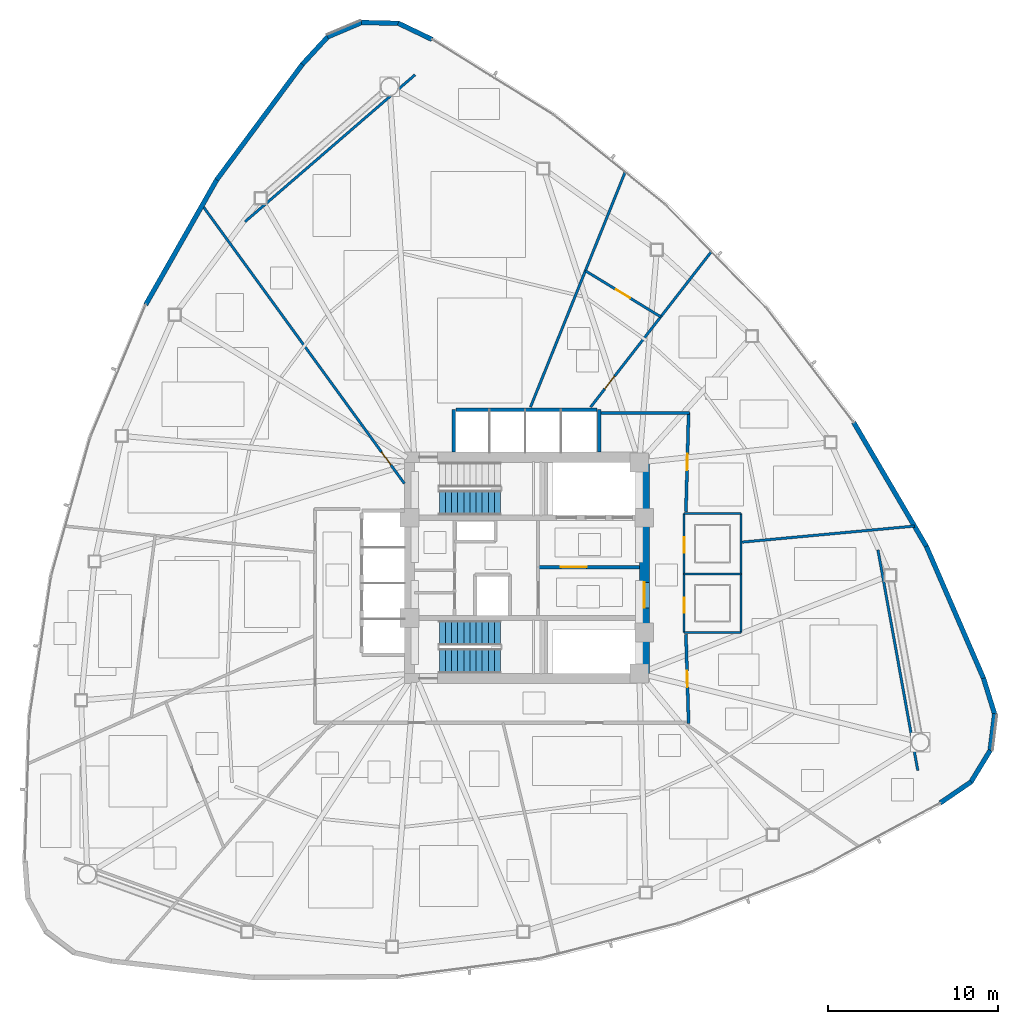
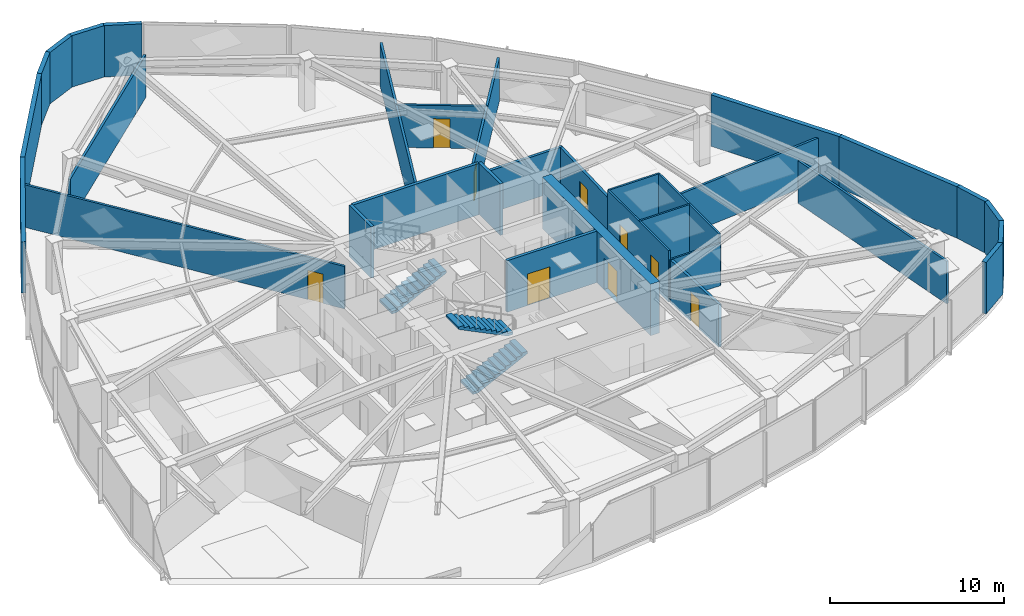
# One storey, part 12 of 17: 32 walls, 9 doors, 3 stair flights, 9 openings, 2 elements without a shape of their own.
"""IFC4 building model written with IfcOpenShell, lengths in metres."""

from ifc_helpers import new_model, si_unit, direction, frame, frame_2d, origin, place, context, subcontext, project, spatial, polyline, rectangle, outline, extrude, material, layer, layer_set, type_object, element, fill, aggregate, save


model = new_model("IFC4")

# Units and contexts
model_context = context("Model", 3, precision=1e-05, world=origin(), true_north=direction((0.0, 1.0)))
body_context = subcontext(model_context, "Body", "Model", "MODEL_VIEW")
ifc_project = project(units=[si_unit("LENGTHUNIT", "METRE"), si_unit("AREAUNIT", "SQUARE_METRE"), si_unit("VOLUMEUNIT", "CUBIC_METRE"), si_unit("PLANEANGLEUNIT", "RADIAN"), si_unit("MASSUNIT", "GRAM", prefix="KILO")], contexts=[model_context])

# Site, building, storey
site_placement = place(None, origin())
site = spatial("IfcSite", under=ifc_project, at=site_placement, CompositionType="ELEMENT")
building_placement = place(site_placement, origin())
building = spatial("IfcBuilding", under=site, at=building_placement, Name="Tavelor Broadcast Tower", CompositionType="ELEMENT")
storey_placement = place(building_placement, frame((0.0, 0.0, 70.5)))
storey = spatial("IfcBuildingStorey", under=building, at=storey_placement, Name="L16", CompositionType="ELEMENT", Elevation=70.5)

# Wall, opening, door
ifc_material_1 = material(Name="Concrete C60/75", Category="concrete")
ifc_layer_1 = layer(ifc_material_1, 0.60009765625)
ifc_layer_set_1 = layer_set([ifc_layer_1], Name="Concrete C60/75")
wall_type_1 = type_object("IfcWallType", Name="Core Shear Wall 600 mm", PredefinedType="SHEAR", material=ifc_layer_set_1)
wall_1_placement = place(storey_placement, frame((56.89990234375, 38.800048828125, 0.0), z_axis=(0.0, 0.0, 1.0), x_axis=(0.0, 1.0, 0.0)))
wall_1 = element("IfcWall", 1, at=wall_1_placement, inside=storey, type_object=wall_type_1, Name="L16 Central Core Shear Wall E", PredefinedType="SHEAR", context=body_context, shape_type="SweptSolid", body=[
    extrude(rectangle(XDim=12.39990234375, YDim=0.60009765625, at=frame_2d((6.199951171875, 0.0))), origin(), (0.0, 0.0, 1.0), 3.60009765625),
])
opening_1_placement = place(wall_1_placement, frame((3.85009765625, 0.0, 0.0)))
opening_1 = element("IfcOpeningElement", 2, at=opening_1_placement, cuts=wall_1, Name="Opening DR14", PredefinedType="OPENING", context=body_context, shape_type="SweptSolid", body=[
    extrude(rectangle(XDim=1.5, YDim=2.199951171875, at=frame_2d((0.75, 1.10009765625))), frame((0.0, 0.31005859375, 0.0), z_axis=(0.0, -1.0, 0.0), x_axis=(1.0, 0.0, 0.0)), (0.0, 0.0, 1.0), 0.6201171875),
])
ifc_material_2 = material(Name="Steel S355", Category="steel")
door_type_1 = type_object("IfcDoorType", Name="Firefighting Lobby Double Fire Door 1500x2200", OperationType="NOTDEFINED", PredefinedType="DOOR", material=ifc_material_2)
door_1_placement = place(opening_1_placement, origin())
door_1 = element("IfcDoor", 3, at=door_1_placement, inside=storey, type_object=door_type_1, Name="L16 Central Core Lobby Fire Door", OperationType="SINGLE_SWING_RIGHT", OverallHeight=2.199951171875, OverallWidth=1.5, PredefinedType="DOOR", context=body_context, shape_type="SweptSolid", body=[
    extrude(rectangle(XDim=1.5, YDim=2.199951171875, at=frame_2d((0.75, 1.10009765625))), frame((0.0, 0.02490234375, 0.0), z_axis=(0.0, -1.0, 0.0), x_axis=(1.0, 0.0, 0.0)), (0.0, 0.0, 1.0), 0.050048828125),
])
fill(opening_1, door_1)

# Wall
ifc_material_3 = material(Name="Calcium Silicate Fire Board 180 mm", Category="gypsum")
ifc_layer_2 = layer(ifc_material_3, 0.179931640625)
ifc_layer_set_2 = layer_set([ifc_layer_2], Name="Calcium Silicate Fire Board 180 mm")
wall_type_2 = type_object("IfcWallType", Name="Fire-Rated Corridor Partition Wall 180 mm", PredefinedType="PARTITIONING", material=ifc_layer_set_2)
wall_2_placement = place(storey_placement, frame((54.300048828125, 54.10009765625, 0.0), z_axis=(0.0, 0.0, 1.0), x_axis=(1.0, 0.0, 0.0)))
element("IfcWall", 4, at=wall_2_placement, inside=storey, type_object=wall_type_2, Name="L16 Corridor Compartment Wall 01", PredefinedType="PARTITIONING", context=body_context, shape_type="SweptSolid", body=[
    extrude(rectangle(XDim=5.25, YDim=0.179931640625, at=frame_2d((2.625, 0.0))), origin(), (0.0, 0.0, 1.0), 2.97509765625),
])

# Wall, opening, door
wall_3_placement = place(storey_placement, frame((59.50146484375, 54.14990234375, 0.0), z_axis=(0.0, 0.0, 1.0), x_axis=(-0.027367567602, -0.999625437973, 0.0)))
wall_3 = element("IfcWall", 5, at=wall_3_placement, inside=storey, type_object=wall_type_2, Name="L16 Corridor Compartment Wall 02", PredefinedType="PARTITIONING", context=body_context, shape_type="SweptSolid", body=[
    extrude(rectangle(XDim=5.85205078125, YDim=0.179931640625, at=frame_2d((2.926025390625, 0.0))), origin(), (0.0, 0.0, 1.0), 2.97509765625),
])
opening_2_placement = place(wall_3_placement, frame((2.451171875, 0.0, 0.0)))
opening_2 = element("IfcOpeningElement", 6, at=opening_2_placement, cuts=wall_3, Name="Opening DR18", PredefinedType="OPENING", context=body_context, shape_type="SweptSolid", body=[
    extrude(rectangle(XDim=0.949951171875, YDim=2.050048828125, at=frame_2d((0.47509765625, 1.02490234375))), frame((0.0, 0.10009765625, 0.0), z_axis=(0.0, -1.0, 0.0), x_axis=(1.0, 0.0, 0.0)), (0.0, 0.0, 1.0), 0.199951171875),
])
ifc_material_4 = material(Name="Timber Solid Core Hardwood", Category="wood")
door_type_2 = type_object("IfcDoorType", Name="Corridor Rated Compartment Door 950x2050", OperationType="NOTDEFINED", PredefinedType="DOOR", material=ifc_material_4)
door_2_placement = place(opening_2_placement, origin())
door_2 = element("IfcDoor", 7, at=door_2_placement, inside=storey, type_object=door_type_2, Name="L16 Presenter Quiet Snug Door R6", OperationType="SINGLE_SWING_LEFT", OverallHeight=2.050048828125, OverallWidth=0.949951171875, PredefinedType="DOOR", context=body_context, shape_type="SweptSolid", body=[
    extrude(rectangle(XDim=0.949951171875, YDim=2.050048828125, at=frame_2d((0.47509765625, 1.02490234375))), frame((0.0, 0.02490234375, 0.0), z_axis=(0.0, -1.0, 0.0), x_axis=(1.0, 0.0, 0.0)), (0.0, 0.0, 1.0), 0.050048828125),
])
fill(opening_2, door_2)

wall_4_placement = place(storey_placement, frame((59.341552734375, 41.10009765625, 0.0), z_axis=(0.0, 0.0, 1.0), x_axis=(0.030445329425, -0.999536433511, 0.0)))
wall_4 = element("IfcWall", 8, at=wall_4_placement, inside=storey, type_object=wall_type_2, Name="L16 Corridor Compartment Wall 03", PredefinedType="PARTITIONING", context=body_context, shape_type="SweptSolid", body=[
    extrude(rectangle(XDim=5.25244140625, YDim=0.179931640625, at=frame_2d((2.626220703125, 0.0))), origin(), (0.0, 0.0, 1.0), 2.97509765625),
])
opening_3_placement = place(wall_4_placement, frame((2.151123046875, 0.0, 0.0)))
opening_3 = element("IfcOpeningElement", 9, at=opening_3_placement, cuts=wall_4, Name="Opening DR18", PredefinedType="OPENING", context=body_context, shape_type="SweptSolid", body=[
    extrude(rectangle(XDim=0.949951171875, YDim=2.050048828125, at=frame_2d((0.47509765625, 1.02490234375))), frame((0.0, 0.10009765625, 0.0), z_axis=(0.0, -1.0, 0.0), x_axis=(1.0, 0.0, 0.0)), (0.0, 0.0, 1.0), 0.199951171875),
])
door_3_placement = place(opening_3_placement, origin())
door_3 = element("IfcDoor", 10, at=door_3_placement, inside=storey, type_object=door_type_2, Name="L16 Broadcast Crew Room Door R7", OperationType="SINGLE_SWING_RIGHT", OverallHeight=2.050048828125, OverallWidth=0.949951171875, PredefinedType="DOOR", context=body_context, shape_type="SweptSolid", body=[
    extrude(rectangle(XDim=0.949951171875, YDim=2.050048828125, at=frame_2d((0.47509765625, 1.02490234375))), frame((0.0, 0.02490234375, 0.0), z_axis=(0.0, -1.0, 0.0), x_axis=(1.0, 0.0, 0.0)), (0.0, 0.0, 1.0), 0.050048828125),
])
fill(opening_3, door_3)

# Walls
ifc_material_5 = material(Name="Precast Concrete C40/50", Category="concrete")
ifc_layer_3 = layer(ifc_material_5, 0.280029296875)
ifc_layer_set_3 = layer_set([ifc_layer_3], Name="Precast Concrete C40/50")
wall_type_3 = type_object("IfcWallType", Name="Insulated Precast Terracotta Facade Wall 280 mm", PredefinedType="STANDARD", material=ifc_layer_set_3)
wall_5_placement = place(storey_placement, frame((44.422607421875, 76.0576171875, 0.0), z_axis=(0.0, 0.0, 1.0), x_axis=(-0.901464314035, 0.432853428451, 0.0)))
element("IfcWall", 11, at=wall_5_placement, inside=storey, type_object=wall_type_3, Name="L16 Rounded Corner Structural Cladding Pier 01", PredefinedType="STANDARD", context=body_context, shape_type="SweptSolid", body=[
    extrude(rectangle(XDim=2.205322265625, YDim=0.280029296875, at=frame_2d((1.1025390625, 0.0))), origin(), (0.0, 0.0, 1.0), 3.60009765625),
])
for number, where, z_axis, x_axis, name in (
    (12, (42.463134765625, 77.005615234375, 0.0), (0.0, 0.0, 1.0), (-0.999724313306, 0.023479722853, 0.0), "L16 Rounded Corner Structural Cladding Pier 02"),
    (13, (40.298583984375, 77.062744140625, 0.0), (0.0, 0.0, 1.0), (-0.920845873007, -0.389926760002, 0.0), "L16 Rounded Corner Structural Cladding Pier 03"),
):
    element("IfcWall", number, at=place(storey_placement, frame(where, z_axis=z_axis, x_axis=x_axis)), inside=storey, type_object=wall_type_3, Name=name, PredefinedType="STANDARD", context=body_context, shape_type="SweptSolid", body=[
        extrude(rectangle(XDim=2.19384765625, YDim=0.280029296875, at=frame_2d((1.096923828125, 0.0))), origin(), (0.0, 0.0, 1.0), 3.60009765625),
    ])
wall_6_placement = place(storey_placement, frame((38.302490234375, 76.22412109375, 0.0), z_axis=(0.0, 0.0, 1.0), x_axis=(-0.678860911078, -0.734266888406, 0.0)))
element("IfcWall", 14, at=wall_6_placement, inside=storey, type_object=wall_type_3, Name="L16 Rounded Corner Structural Cladding Pier 04", PredefinedType="STANDARD", context=body_context, shape_type="SweptSolid", body=[
    extrude(rectangle(XDim=2.21630859375, YDim=0.280029296875, at=frame_2d((1.108154296875, 0.0))), origin(), (0.0, 0.0, 1.0), 3.60009765625),
])
wall_7_placement = place(storey_placement, frame((36.817138671875, 74.61962890625, 0.0), z_axis=(0.0, 0.0, 1.0), x_axis=(-0.595901433763, -0.803057582767, 0.0)))
element("IfcWall", 15, at=wall_7_placement, inside=storey, type_object=wall_type_3, Name="L16 Rounded Corner Structural Cladding Pier 05", PredefinedType="STANDARD", context=body_context, shape_type="SweptSolid", body=[
    extrude(rectangle(XDim=8.4794921875, YDim=0.280029296875, at=frame_2d((4.23974609375, 0.0))), origin(), (0.0, 0.0, 1.0), 3.60009765625),
])
wall_8_placement = place(storey_placement, frame((31.780517578125, 67.8349609375, 0.0), z_axis=(0.0, 0.0, 1.0), x_axis=(-0.494355624137, -0.869259752251, 0.0)))
element("IfcWall", 16, at=wall_8_placement, inside=storey, type_object=wall_type_3, Name="L16 Rounded Corner Structural Cladding Pier 06", PredefinedType="STANDARD", context=body_context, shape_type="SweptSolid", body=[
    extrude(rectangle(XDim=8.4677734375, YDim=0.280029296875, at=frame_2d((4.23388671875, 0.0))), origin(), (0.0, 0.0, 1.0), 3.60009765625),
])
wall_9_placement = place(storey_placement, frame((74.285400390625, 31.18359375, 0.0), z_axis=(0.0, 0.0, 1.0), x_axis=(0.825608543005, 0.564243328465, 0.0)))
element("IfcWall", 17, at=wall_9_placement, inside=storey, type_object=wall_type_3, Name="L16 Rounded Corner Structural Cladding Pier 21", PredefinedType="STANDARD", context=body_context, shape_type="SweptSolid", body=[
    extrude(rectangle(XDim=2.205322265625, YDim=0.280029296875, at=frame_2d((1.1025390625, 0.0))), origin(), (0.0, 0.0, 1.0), 3.60009765625),
])
for number, where, z_axis, x_axis, name in (
    (18, (76.0859375, 32.40673828125, 0.0), (0.0, 0.0, 1.0), (0.520342278266, 0.853957793716, 0.0), "L16 Rounded Corner Structural Cladding Pier 22"),
    (19, (77.2177734375, 34.252685546875, 0.0), (0.0, 0.0, 1.0), (0.122747150482, 0.992437976424, 0.0), "L16 Rounded Corner Structural Cladding Pier 23"),
):
    element("IfcWall", number, at=place(storey_placement, frame(where, z_axis=z_axis, x_axis=x_axis)), inside=storey, type_object=wall_type_3, Name=name, PredefinedType="STANDARD", context=body_context, shape_type="SweptSolid", body=[
        extrude(rectangle(XDim=2.19384765625, YDim=0.280029296875, at=frame_2d((1.096923828125, 0.0))), origin(), (0.0, 0.0, 1.0), 3.60009765625),
    ])
wall_10_placement = place(storey_placement, frame((77.489501953125, 36.400634765625, 0.0), z_axis=(0.0, 0.0, 1.0), x_axis=(-0.296430397767, 0.955054458803, 0.0)))
element("IfcWall", 20, at=wall_10_placement, inside=storey, type_object=wall_type_3, Name="L16 Rounded Corner Structural Cladding Pier 24", PredefinedType="STANDARD", context=body_context, shape_type="SweptSolid", body=[
    extrude(rectangle(XDim=2.21630859375, YDim=0.280029296875, at=frame_2d((1.108154296875, 0.0))), origin(), (0.0, 0.0, 1.0), 3.60009765625),
])
wall_11_placement = place(storey_placement, frame((76.8427734375, 38.4892578125, 0.0), z_axis=(0.0, 0.0, 1.0), x_axis=(-0.397526636261, 0.917590635013, 0.0)))
element("IfcWall", 21, at=wall_11_placement, inside=storey, type_object=wall_type_3, Name="L16 Rounded Corner Structural Cladding Pier 25", PredefinedType="STANDARD", context=body_context, shape_type="SweptSolid", body=[
    extrude(rectangle(XDim=8.4794921875, YDim=0.280029296875, at=frame_2d((4.23974609375, 0.0))), origin(), (0.0, 0.0, 1.0), 3.60009765625),
])
wall_12_placement = place(storey_placement, frame((73.485595703125, 46.243408203125, 0.0), z_axis=(0.0, 0.0, 1.0), x_axis=(-0.505666222218, 0.862729199522, 0.0)))
element("IfcWall", 22, at=wall_12_placement, inside=storey, type_object=wall_type_3, Name="L16 Rounded Corner Structural Cladding Pier 26", PredefinedType="STANDARD", context=body_context, shape_type="SweptSolid", body=[
    extrude(rectangle(XDim=8.467529296875, YDim=0.280029296875, at=frame_2d((4.23388671875, 0.0))), origin(), (0.0, 0.0, 1.0), 3.60009765625),
])
ifc_material_6 = material(Name="Gypsum Acoustic Plasterboard 150 mm", Category="gypsum")
ifc_layer_4 = layer(ifc_material_6, 0.14990234375)
ifc_layer_set_4 = layer_set([ifc_layer_4], Name="Gypsum Acoustic Plasterboard 150 mm")
wall_type_4 = type_object("IfcWallType", Name="Interior Acoustic Partition Wall 150 mm", PredefinedType="PARTITIONING", material=ifc_layer_set_4)
wall_13_placement = place(storey_placement, frame((43.42138671875, 73.9794921875, 0.0), z_axis=(0.0, 0.0, 1.0), x_axis=(-0.756659135409, -0.653809569218, 0.0)))
element("IfcWall", 23, at=wall_13_placement, inside=storey, type_object=wall_type_4, Name="L16 Corner Tube Brace Furring Wall 1", PredefinedType="PARTITIONING", context=body_context, shape_type="SweptSolid", body=[
    extrude(rectangle(XDim=13.200439453125, YDim=0.14990234375, at=frame_2d((6.60009765625, 0.0))), origin(), (0.0, 0.0, 1.0), 2.97509765625),
])
wall_14_placement = place(storey_placement, frame((72.96923828125, 33.09130859375, 0.0), z_axis=(0.0, 0.0, 1.0), x_axis=(-0.177742578179, 0.984077017261, 0.0)))
element("IfcWall", 24, at=wall_14_placement, inside=storey, type_object=wall_type_4, Name="L16 Corner Tube Brace Furring Wall 3", PredefinedType="PARTITIONING", context=body_context, shape_type="SweptSolid", body=[
    extrude(rectangle(XDim=13.179443359375, YDim=0.14990234375, at=frame_2d((6.58984375, 0.0))), origin(), (0.0, 0.0, 1.0), 2.97509765625),
])

# Wall, opening, door
wall_15_placement = place(storey_placement, frame((42.800048828125, 49.955078125, 0.0), z_axis=(0.0, 0.0, 1.0), x_axis=(-0.587787743989, 0.809015184045, 0.0)))
wall_15 = element("IfcWall", 25, at=wall_15_placement, inside=storey, type_object=wall_type_4, Name="L16 Radial Compartment Wall 01", PredefinedType="PARTITIONING", context=body_context, shape_type="SweptSolid", body=[
    extrude(rectangle(XDim=20.230712890625, YDim=0.14990234375, at=frame_2d((10.115234375, 0.0))), origin(), (0.0, 0.0, 1.0), 2.97509765625),
])
opening_4_placement = place(wall_15_placement, frame((1.35009765625, 0.0, 0.0)))
opening_4 = element("IfcOpeningElement", 26, at=opening_4_placement, cuts=wall_15, Name="Opening DR18", PredefinedType="OPENING", context=body_context, shape_type="SweptSolid", body=[
    extrude(rectangle(XDim=0.949951171875, YDim=2.050048828125, at=frame_2d((0.47509765625, 1.02490234375))), frame((0.0, 0.0849609375, 0.0), z_axis=(0.0, -1.0, 0.0), x_axis=(1.0, 0.0, 0.0)), (0.0, 0.0, 1.0), 0.169921875),
])
door_4_placement = place(opening_4_placement, origin())
door_4 = element("IfcDoor", 27, at=door_4_placement, inside=storey, type_object=door_type_2, Name="L16 Suite Connecting Door 4", OperationType="SINGLE_SWING_RIGHT", OverallHeight=2.050048828125, OverallWidth=0.949951171875, PredefinedType="DOOR", context=body_context, shape_type="SweptSolid", body=[
    extrude(rectangle(XDim=0.949951171875, YDim=2.050048828125, at=frame_2d((0.47509765625, 1.02490234375))), frame((0.0, 0.02490234375, 0.0), z_axis=(0.0, -1.0, 0.0), x_axis=(1.0, 0.0, 0.0)), (0.0, 0.0, 1.0), 0.050048828125),
])
fill(opening_4, door_4)

# Wall
wall_16_placement = place(storey_placement, frame((62.64990234375, 46.5146484375, 0.0), z_axis=(0.0, 0.0, 1.0), x_axis=(0.995684583365, 0.09280199593, 0.0)))
element("IfcWall", 28, at=wall_16_placement, inside=storey, type_object=wall_type_4, Name="L16 Radial Compartment Wall 07", PredefinedType="PARTITIONING", context=body_context, shape_type="SweptSolid", body=[
    extrude(rectangle(XDim=10.178466796875, YDim=0.14990234375, at=frame_2d((5.08935546875, 0.0))), origin(), (0.0, 0.0, 1.0), 3.02490234375),
])

# Wall, opening, door
wall_17_placement = place(storey_placement, frame((53.739990234375, 54.449951171875, 0.0), z_axis=(0.0, 0.0, 1.0), x_axis=(0.613416658946, 0.78975945865, 0.0)))
wall_17 = element("IfcWall", 29, at=wall_17_placement, inside=storey, type_object=wall_type_4, Name="L16 Radial Compartment Wall 08", PredefinedType="PARTITIONING", context=body_context, shape_type="SweptSolid", body=[
    extrude(rectangle(XDim=11.583740234375, YDim=0.14990234375, at=frame_2d((5.7919921875, 0.0))), origin(), (0.0, 0.0, 1.0), 2.97509765625),
])
opening_5_placement = place(wall_17_placement, frame((1.35009765625, 0.0, 0.0)))
opening_5 = element("IfcOpeningElement", 30, at=opening_5_placement, cuts=wall_17, Name="Opening DR18", PredefinedType="OPENING", context=body_context, shape_type="SweptSolid", body=[
    extrude(rectangle(XDim=0.949951171875, YDim=2.050048828125, at=frame_2d((0.47509765625, 1.02490234375))), frame((0.0, 0.0849609375, 0.0), z_axis=(0.0, -1.0, 0.0), x_axis=(1.0, 0.0, 0.0)), (0.0, 0.0, 1.0), 0.169921875),
])
door_5_placement = place(opening_5_placement, origin())
door_5 = element("IfcDoor", 31, at=door_5_placement, inside=storey, type_object=door_type_2, Name="L16 Suite Connecting Door 9", OperationType="SINGLE_SWING_LEFT", OverallHeight=2.050048828125, OverallWidth=0.949951171875, PredefinedType="DOOR", context=body_context, shape_type="SweptSolid", body=[
    extrude(rectangle(XDim=0.949951171875, YDim=2.050048828125, at=frame_2d((0.47509765625, 1.02490234375))), frame((0.0, 0.02490234375, 0.0), z_axis=(0.0, -1.0, 0.0), x_axis=(1.0, 0.0, 0.0)), (0.0, 0.0, 1.0), 0.050048828125),
])
fill(opening_5, door_5)

# Wall
wall_18_placement = place(storey_placement, frame((50.20654296875, 54.449951171875, 0.0), z_axis=(0.0, 0.0, 1.0), x_axis=(0.373650609402, 0.927569524129, 0.0)))
element("IfcWall", 32, at=wall_18_placement, inside=storey, type_object=wall_type_4, Name="L16 Radial Compartment Wall 09", PredefinedType="PARTITIONING", context=body_context, shape_type="SweptSolid", body=[
    extrude(rectangle(XDim=14.8935546875, YDim=0.14990234375, at=frame_2d((7.44677734375, 0.0))), origin(), (0.0, 0.0, 1.0), 2.97509765625),
])

# Wall, opening, door
wall_19_placement = place(storey_placement, frame((57.861328125, 59.756103515625, 0.0), z_axis=(0.0, 0.0, 1.0), x_axis=(-0.853216696193, 0.521556583065, 0.0)))
wall_19 = element("IfcWall", 33, at=wall_19_placement, inside=storey, type_object=wall_type_4, Name="L16 Suite Chord Partition Wall 01", PredefinedType="PARTITIONING", context=body_context, shape_type="SweptSolid", body=[
    extrude(rectangle(XDim=5.18896484375, YDim=0.14990234375, at=frame_2d((2.594482421875, 0.0))), origin(), (0.0, 0.0, 1.0), 2.97509765625),
])
opening_6_placement = place(wall_19_placement, frame((2.119384765625, 0.0, 0.0)))
opening_6 = element("IfcOpeningElement", 34, at=opening_6_placement, cuts=wall_19, Name="Opening DR23", PredefinedType="OPENING", context=body_context, shape_type="SweptSolid", body=[
    extrude(rectangle(XDim=0.949951171875, YDim=2.050048828125, at=frame_2d((0.47509765625, 1.02490234375))), frame((0.0, 0.0849609375, 0.0), z_axis=(0.0, -1.0, 0.0), x_axis=(1.0, 0.0, 0.0)), (0.0, 0.0, 1.0), 0.169921875),
])
door_type_3 = type_object("IfcDoorType", Name="Editorial Room Acoustic Door 950x2050", OperationType="NOTDEFINED", PredefinedType="DOOR", material=ifc_material_4)
door_6_placement = place(opening_6_placement, origin())
door_6 = element("IfcDoor", 35, at=door_6_placement, inside=storey, type_object=door_type_3, Name="L16 Outer Suite Partition Door 1", OperationType="SINGLE_SWING_RIGHT", OverallHeight=2.050048828125, OverallWidth=0.949951171875, PredefinedType="DOOR", context=body_context, shape_type="SweptSolid", body=[
    extrude(rectangle(XDim=0.949951171875, YDim=2.050048828125, at=frame_2d((0.47509765625, 1.02490234375))), frame((0.0, 0.02490234375, 0.0), z_axis=(0.0, -1.0, 0.0), x_axis=(1.0, 0.0, 0.0)), (0.0, 0.0, 1.0), 0.050048828125),
])
fill(opening_6, door_6)

# Walls
ifc_material_7 = material(Name="Concrete Blockwork 200 mm", Category="masonry")
ifc_layer_5 = layer(ifc_material_7, 0.199951171875)
ifc_layer_set_5 = layer_set([ifc_layer_5], Name="Concrete Blockwork 200 mm")
wall_type_5 = type_object("IfcWallType", Name="Lift Hoistway Rated Front Wall 200 mm", PredefinedType="PARTITIONING", material=ifc_layer_set_5)
wall_20_placement = place(storey_placement, frame((45.820068359375, 54.300048828125, 0.0), z_axis=(0.0, 0.0, 1.0), x_axis=(1.0, 0.0, 0.0)))
element("IfcWall", 36, at=wall_20_placement, inside=storey, type_object=wall_type_5, Name="L16 High-Rise Lift Hoistway Front Wall", PredefinedType="PARTITIONING", context=body_context, shape_type="SweptSolid", body=[
    extrude(rectangle(XDim=8.309814453125, YDim=0.199951171875, at=frame_2d((4.15478515625, 0.0))), origin(), (0.0, 0.0, 1.0), 3.60009765625),
])
ifc_layer_6 = layer(ifc_material_7, 0.199951171875)
ifc_layer_set_6 = layer_set([ifc_layer_6], Name="Concrete Blockwork 200 mm")
wall_type_6 = type_object("IfcWallType", Name="Lift and Riser Shaft Enclosure Wall 200 mm", PredefinedType="PARTITIONING", material=ifc_layer_set_6)
for number, where, z_axis, x_axis, name in (
    (37, (45.699951171875, 51.800048828125, 0.0), (0.0, 0.0, 1.0), (0.0, 1.0, 0.0), "L16 High-Rise Lift Shaft West Wall"),
    (38, (54.25, 51.800048828125, 0.0), (0.0, 0.0, 1.0), (0.0, 1.0, 0.0), "L16 High-Rise Lift Shaft East Wall"),
):
    element("IfcWall", number, at=place(storey_placement, frame(where, z_axis=z_axis, x_axis=x_axis)), inside=storey, type_object=wall_type_6, Name=name, PredefinedType="PARTITIONING", context=body_context, shape_type="SweptSolid", body=[
        extrude(rectangle(XDim=2.5, YDim=0.199951171875, at=frame_2d((1.25, 0.0))), origin(), (0.0, 0.0, 1.0), 3.60009765625),
    ])

# Wall, opening, door
wall_21_placement = place(storey_placement, frame((50.64990234375, 45.050048828125, 0.0), z_axis=(0.0, 0.0, 1.0), x_axis=(1.0, 0.0, 0.0)))
wall_21 = element("IfcWall", 39, at=wall_21_placement, inside=storey, type_object=wall_type_6, Name="L16 Firefighting Lobby South Wall", PredefinedType="PARTITIONING", context=body_context, shape_type="SweptSolid", body=[
    extrude(rectangle(XDim=5.9501953125, YDim=0.199951171875, at=frame_2d((2.97509765625, 0.0))), origin(), (0.0, 0.0, 1.0), 3.60009765625),
])
opening_7_placement = place(wall_21_placement, frame((1.35009765625, 0.0, 0.0)))
opening_7 = element("IfcOpeningElement", 40, at=opening_7_placement, cuts=wall_21, Name="Opening DR14", PredefinedType="OPENING", context=body_context, shape_type="SweptSolid", body=[
    extrude(rectangle(XDim=1.5, YDim=2.199951171875, at=frame_2d((0.75, 1.10009765625))), frame((0.0, 0.10986328125, 0.0), z_axis=(0.0, -1.0, 0.0), x_axis=(1.0, 0.0, 0.0)), (0.0, 0.0, 1.0), 0.219970703125),
])
door_7_placement = place(opening_7_placement, origin())
door_7 = element("IfcDoor", 41, at=door_7_placement, inside=storey, type_object=door_type_1, Name="L16 Firefighting Lobby Compartment Door", OperationType="SINGLE_SWING_LEFT", OverallHeight=2.199951171875, OverallWidth=1.5, PredefinedType="DOOR", context=body_context, shape_type="SweptSolid", body=[
    extrude(rectangle(XDim=1.5, YDim=2.199951171875, at=frame_2d((0.75, 1.10009765625))), frame((0.0, 0.02490234375, 0.0), z_axis=(0.0, -1.0, 0.0), x_axis=(1.0, 0.0, 0.0)), (0.0, 0.0, 1.0), 0.050048828125),
])
fill(opening_7, door_7)

# Wall, openings, doors
ifc_material_8 = material(Name="Moisture-Resistant Plasterboard 120 mm", Category="gypsum")
ifc_layer_7 = layer(ifc_material_8, 0.1201171875)
ifc_layer_set_7 = layer_set([ifc_layer_7], Name="Moisture-Resistant Plasterboard 120 mm")
wall_type_7 = type_object("IfcWallType", Name="Moisture-Resistant Wet-Room Partition 120 mm", PredefinedType="PARTITIONING", material=ifc_layer_set_7)
wall_22_placement = place(storey_placement, frame((59.239990234375, 41.199951171875, 0.0), z_axis=(0.0, 0.0, 1.0), x_axis=(0.0, 1.0, 0.0)))
wall_22 = element("IfcWall", 42, at=wall_22_placement, inside=storey, type_object=wall_type_7, Name="L16 Floor Washrooms West Wall", PredefinedType="PARTITIONING", context=body_context, shape_type="SweptSolid", body=[
    extrude(rectangle(XDim=7.0, YDim=0.1201171875, at=frame_2d((3.5, 0.0))), origin(), (0.0, 0.0, 1.0), 3.60009765625),
])
opening_8_placement = place(wall_22_placement, frame((1.14990234375, 0.0, 0.0)))
opening_8 = element("IfcOpeningElement", 43, at=opening_8_placement, cuts=wall_22, Name="Opening DR32", PredefinedType="OPENING", context=body_context, shape_type="SweptSolid", body=[
    extrude(rectangle(XDim=0.89990234375, YDim=2.050048828125, at=frame_2d((0.449951171875, 1.02490234375))), frame((0.0, 0.070068359375, 0.0), z_axis=(0.0, -1.0, 0.0), x_axis=(1.0, 0.0, 0.0)), (0.0, 0.0, 1.0), 0.14013671875),
])
opening_9_placement = place(wall_22_placement, frame((4.699951171875, 0.0, 0.0)))
opening_9 = element("IfcOpeningElement", 44, at=opening_9_placement, cuts=wall_22, Name="Opening DR32", PredefinedType="OPENING", context=body_context, shape_type="SweptSolid", body=[
    extrude(rectangle(XDim=0.89990234375, YDim=2.050048828125, at=frame_2d((0.449951171875, 1.02490234375))), frame((0.0, 0.070068359375, 0.0), z_axis=(0.0, -1.0, 0.0), x_axis=(1.0, 0.0, 0.0)), (0.0, 0.0, 1.0), 0.14013671875),
])
door_type_4 = type_object("IfcDoorType", Name="Accessible Washroom Door 900x2050", OperationType="NOTDEFINED", PredefinedType="DOOR", material=ifc_material_4)
door_8_placement = place(opening_8_placement, origin())
door_8 = element("IfcDoor", 45, at=door_8_placement, inside=storey, type_object=door_type_4, Name="L16 Accessible WC Door", OperationType="SINGLE_SWING_LEFT", OverallHeight=2.050048828125, OverallWidth=0.89990234375, PredefinedType="DOOR", context=body_context, shape_type="SweptSolid", body=[
    extrude(rectangle(XDim=0.89990234375, YDim=2.050048828125, at=frame_2d((0.449951171875, 1.02490234375))), frame((0.0, 0.02490234375, 0.0), z_axis=(0.0, -1.0, 0.0), x_axis=(1.0, 0.0, 0.0)), (0.0, 0.0, 1.0), 0.050048828125),
])
fill(opening_8, door_8)
door_9_placement = place(opening_9_placement, origin())
door_9 = element("IfcDoor", 46, at=door_9_placement, inside=storey, type_object=door_type_4, Name="L16 Staff Washroom WC Door", OperationType="SINGLE_SWING_RIGHT", OverallHeight=2.050048828125, OverallWidth=0.89990234375, PredefinedType="DOOR", context=body_context, shape_type="SweptSolid", body=[
    extrude(rectangle(XDim=0.89990234375, YDim=2.050048828125, at=frame_2d((0.449951171875, 1.02490234375))), frame((0.0, 0.02490234375, 0.0), z_axis=(0.0, -1.0, 0.0), x_axis=(1.0, 0.0, 0.0)), (0.0, 0.0, 1.0), 0.050048828125),
])
fill(opening_9, door_9)

# Walls
wall_23_placement = place(storey_placement, frame((59.239990234375, 41.199951171875, 0.0), z_axis=(0.0, 0.0, 1.0), x_axis=(1.0, 0.0, 0.0)))
element("IfcWall", 47, at=wall_23_placement, inside=storey, type_object=wall_type_7, Name="L16 Floor Washrooms South Wall", PredefinedType="PARTITIONING", context=body_context, shape_type="SweptSolid", body=[
    extrude(rectangle(XDim=3.340087890625, YDim=0.1201171875, at=frame_2d((1.669921875, 0.0))), origin(), (0.0, 0.0, 1.0), 2.97509765625),
])
for number, where, z_axis, x_axis, name in (
    (48, (59.239990234375, 44.64990234375, 0.0), (0.0, 0.0, 1.0), (1.0, 0.0, 0.0), "L16 Floor Washrooms Divider Wall"),
    (49, (59.239990234375, 48.199951171875, 0.0), (0.0, 0.0, 1.0), (1.0, 0.0, 0.0), "L16 Floor Washrooms North Wall"),
):
    element("IfcWall", number, at=place(storey_placement, frame(where, z_axis=z_axis, x_axis=x_axis)), inside=storey, type_object=wall_type_7, Name=name, PredefinedType="PARTITIONING", context=body_context, shape_type="SweptSolid", body=[
        extrude(rectangle(XDim=3.340087890625, YDim=0.1201171875, at=frame_2d((1.669921875, 0.0))), origin(), (0.0, 0.0, 1.0), 3.60009765625),
    ])
wall_24_placement = place(storey_placement, frame((62.580078125, 41.199951171875, 0.0), z_axis=(0.0, 0.0, 1.0), x_axis=(0.0, 1.0, 0.0)))
element("IfcWall", 50, at=wall_24_placement, inside=storey, type_object=wall_type_7, Name="L16 Floor Washrooms East Wall", PredefinedType="PARTITIONING", context=body_context, shape_type="SweptSolid", body=[
    extrude(rectangle(XDim=7.0, YDim=0.1201171875, at=frame_2d((3.5, 0.0))), origin(), (0.0, 0.0, 1.0), 3.60009765625),
])

# Stair, stair flight
ifc_material_9 = material(Name="Concrete C40/50", Category="concrete")
stair_type = type_object("IfcStairType", Name="Reinforced Concrete Protected Dogleg Stair 1450 mm", PredefinedType="HALF_TURN_STAIR", material=ifc_material_9)
stair_1_placement = place(storey_placement, origin())
stair_1 = element("IfcStair", 51, at=stair_1_placement, inside=storey, type_object=stair_type, Name="L16 Protected Core Exit Stair ST1", PredefinedType="HALF_TURN_STAIR")
stair_flight_type = type_object("IfcStairFlightType", Name="Reinforced Concrete Stair Flight 1450 mm", PredefinedType="STRAIGHT", material=ifc_material_9)
stair_flight_1_placement = place(storey_placement, frame((44.85009765625, 48.824951171875, 0.0), z_axis=(0.0, 0.0, 1.0), x_axis=(1.0, 0.0, 0.0)))
stair_flight_1 = element("IfcStairFlight", 52, at=stair_flight_1_placement, type_object=stair_flight_type, Name="ST1 flight 1", NumberOfRisers=11, NumberOfTreads=10, PredefinedType="STRAIGHT", RiserHeight=0.177272727, TreadLength=0.36, context=body_context, shape_type="SweptSolid", body=[
    extrude(outline(polyline([(0.0, 0.0), (0.0, 0.17724609375), (0.360107421875, 0.17724609375), (0.360107421875, 0.3544921875), (0.719970703125, 0.3544921875), (0.719970703125, 0.53173828125), (1.080078125, 0.53173828125), (1.080078125, 0.708984375), (1.43994140625, 0.708984375), (1.43994140625, 0.886474609375), (1.800048828125, 0.886474609375), (1.800048828125, 1.063720703125), (2.159912109375, 1.063720703125), (2.159912109375, 1.240966796875), (2.52001953125, 1.240966796875), (2.52001953125, 1.418212890625), (2.8798828125, 1.418212890625), (2.8798828125, 1.595458984375), (3.239990234375, 1.595458984375), (3.239990234375, 1.772705078125), (3.60009765625, 1.772705078125), (3.60009765625, 1.949951171875), (3.60009765625, 1.605712890625), (0.33935546875, 0.0), (0.0, 0.0)])), frame((0.0, 0.72509765625, 0.0), z_axis=(0.0, -1.0, 0.0), x_axis=(1.0, 0.0, 0.0)), (0.0, 0.0, 1.0), 1.449951171875),
])
aggregate(stair_1, [stair_flight_1])

# Stair, stair flights
stair_2_placement = place(storey_placement, origin())
stair_2 = element("IfcStair", 53, at=stair_2_placement, inside=storey, type_object=stair_type, Name="L16 Protected Core Exit Stair ST2", PredefinedType="HALF_TURN_STAIR")
stair_flight_2_placement = place(storey_placement, frame((44.85009765625, 39.52490234375, 0.0), z_axis=(0.0, 0.0, 1.0), x_axis=(1.0, 0.0, 0.0)))
stair_flight_2 = element("IfcStairFlight", 54, at=stair_flight_2_placement, type_object=stair_flight_type, Name="ST2 flight 1", NumberOfRisers=11, NumberOfTreads=10, PredefinedType="STRAIGHT", RiserHeight=0.177272727, TreadLength=0.36, context=body_context, shape_type="SweptSolid", body=[
    extrude(outline(polyline([(0.0, 0.0), (0.0, 0.17724609375), (0.360107421875, 0.17724609375), (0.360107421875, 0.3544921875), (0.719970703125, 0.3544921875), (0.719970703125, 0.53173828125), (1.080078125, 0.53173828125), (1.080078125, 0.708984375), (1.43994140625, 0.708984375), (1.43994140625, 0.886474609375), (1.800048828125, 0.886474609375), (1.800048828125, 1.063720703125), (2.159912109375, 1.063720703125), (2.159912109375, 1.240966796875), (2.52001953125, 1.240966796875), (2.52001953125, 1.418212890625), (2.8798828125, 1.418212890625), (2.8798828125, 1.595458984375), (3.239990234375, 1.595458984375), (3.239990234375, 1.772705078125), (3.60009765625, 1.772705078125), (3.60009765625, 1.949951171875), (3.60009765625, 1.605712890625), (0.33935546875, 0.0), (0.0, 0.0)])), frame((0.0, 0.72509765625, 0.0), z_axis=(0.0, -1.0, 0.0), x_axis=(1.0, 0.0, 0.0)), (0.0, 0.0, 1.0), 1.449951171875),
])
stair_flight_3_placement = place(storey_placement, frame((48.449951171875, 41.175048828125, 1.949951171875), z_axis=(0.0, 0.0, 1.0), x_axis=(-1.0, 0.0, 0.0)))
stair_flight_3 = element("IfcStairFlight", 55, at=stair_flight_3_placement, type_object=stair_flight_type, Name="ST2 flight 2", NumberOfRisers=11, NumberOfTreads=10, PredefinedType="STRAIGHT", RiserHeight=0.177272727, TreadLength=0.36, context=body_context, shape_type="SweptSolid", body=[
    extrude(outline(polyline([(0.0, 0.0), (0.0, 0.17724609375), (0.360107421875, 0.17724609375), (0.360107421875, 0.3544921875), (0.719970703125, 0.3544921875), (0.719970703125, 0.53173828125), (1.080078125, 0.53173828125), (1.080078125, 0.708984375), (1.43994140625, 0.708984375), (1.43994140625, 0.886474609375), (1.800048828125, 0.886474609375), (1.800048828125, 1.063720703125), (2.159912109375, 1.063720703125), (2.159912109375, 1.240966796875), (2.52001953125, 1.240966796875), (2.52001953125, 1.418212890625), (2.8798828125, 1.418212890625), (2.8798828125, 1.595458984375), (3.239990234375, 1.595458984375), (3.239990234375, 1.772705078125), (3.60009765625, 1.772705078125), (3.60009765625, 1.949951171875), (3.60009765625, 1.605712890625), (0.33935546875, 0.0), (0.0, 0.0)])), frame((0.0, 0.72509765625, 0.0), z_axis=(0.0, -1.0, 0.0), x_axis=(1.0, 0.0, 0.0)), (0.0, 0.0, 1.0), 1.449951171875),
])
aggregate(stair_2, [stair_flight_2, stair_flight_3])

save(model, "model.ifc")
